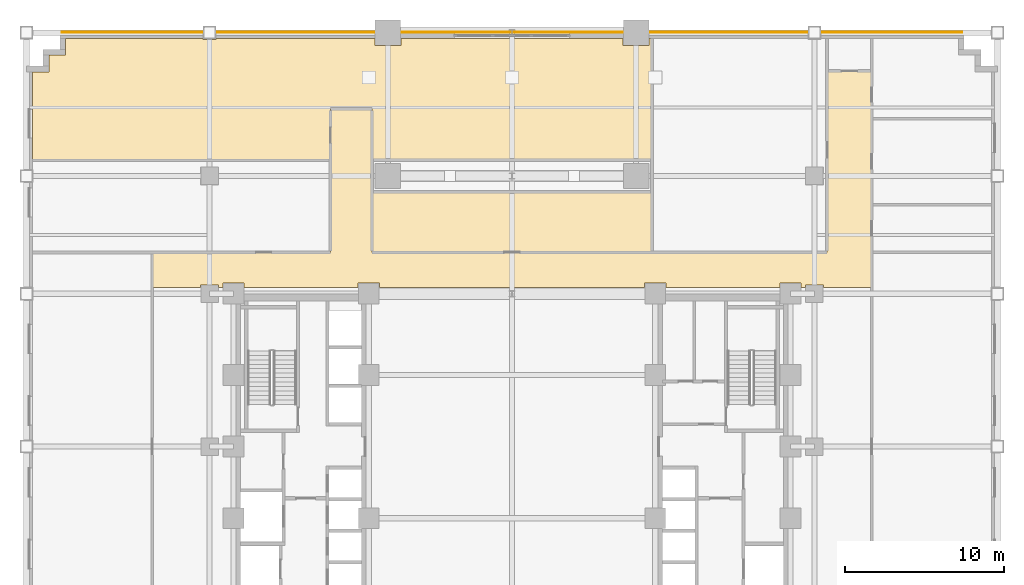
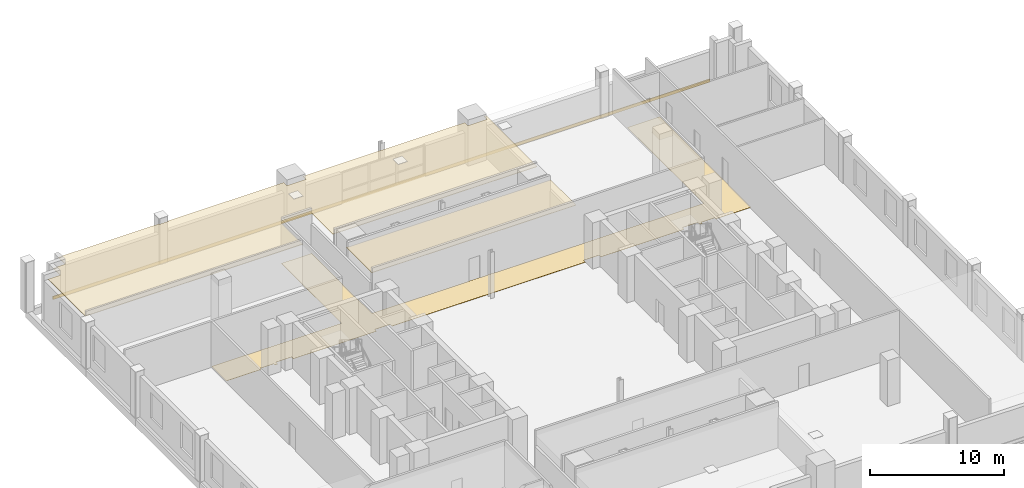
# One storey, part 16 of 17: 4 coverings.
"""IFC4 building model written with IfcOpenShell, lengths in metres."""

import ifcopenshell
import ifcopenshell.guid

model = None  # the IFC model being written
_history = None  # IfcOwnerHistory: only IFC2X3 demands one
_inside = {}  # id of a spatial element -> (the spatial element, [elements in it])
_under = {}  # id of a project, library or spatial element -> (it, [spatial elements below it])
_declared = {}  # id of a project -> (the project, [libraries it declares])
_typed = {}  # id of a type object -> (the type object, [elements of that type])
_made_of = {}  # id of a material, layer set ... -> (it, [elements and type objects made of it])


def new_model(schema):
    """Start an empty IFC model of exactly this schema.

    Asked for "IFC4X3", IfcOpenShell would pick the latest addendum, in which some entities
    have other attributes; the version numbers below select the first issue.
    IFC2X3 requires an IfcOwnerHistory on every rooted entity: one is made here for all.
    """
    global model, _history
    if schema == "IFC4X3":
        model = ifcopenshell.file(schema_version=(4, 3, 0, 0))
    else:
        model = ifcopenshell.file(schema=schema)
    _inside.clear()
    _under.clear()
    _declared.clear()
    _typed.clear()
    _made_of.clear()
    _history = None
    if model.schema == "IFC2X3":
        org = make("IfcOrganization", Name="unknown")
        user = make(
            "IfcPersonAndOrganization",
            ThePerson=make("IfcPerson", FamilyName="unknown"),
            TheOrganization=org,
        )
        app = make(
            "IfcApplication",
            ApplicationDeveloper=org,
            Version="unknown",
            ApplicationFullName="unknown",
            ApplicationIdentifier="unknown",
        )
        _history = make(
            "IfcOwnerHistory",
            OwningUser=user,
            OwningApplication=app,
            ChangeAction="ADDED",
            CreationDate=0,
        )
    return model


def make(cls, **values):
    """One entity of the class cls with the attributes given. An attribute that is None is left unset."""
    return model.create_entity(
        cls, **{name: value for name, value in values.items() if value is not None}
    )


def rooted(cls, **values):
    """An entity with a GlobalId (a new one), such as an element, a storey or a relation."""
    return make(cls, GlobalId=ifcopenshell.guid.new(), OwnerHistory=_history, **values)


def si_unit(unit_type, name, prefix=None):
    """IfcSIUnit, for example si_unit("LENGTHUNIT", "METRE", prefix="MILLI")."""
    return make("IfcSIUnit", UnitType=unit_type, Prefix=prefix, Name=name)


def assignment(units):
    """IfcUnitAssignment: the units of a project."""
    return None if units is None else make("IfcUnitAssignment", Units=units)


def point(xyz):
    """IfcCartesianPoint."""
    return None if xyz is None else make("IfcCartesianPoint", Coordinates=xyz)


def direction(xyz):
    """IfcDirection."""
    return None if xyz is None else make("IfcDirection", DirectionRatios=xyz)


def frame(location, z_axis=None, x_axis=None):
    """IfcAxis2Placement3D, a coordinate frame: its origin and axes. An axis left out is left unset."""
    return make(
        "IfcAxis2Placement3D",
        Location=point(location),
        Axis=direction(z_axis),
        RefDirection=direction(x_axis),
    )


def frame_2d(location, x_axis=None):
    """IfcAxis2Placement2D, a coordinate frame in the plane: its origin and x axis."""
    return make(
        "IfcAxis2Placement2D", Location=point(location), RefDirection=direction(x_axis)
    )


def origin():
    """The frame at (0, 0, 0) with its axes left unset."""
    return frame((0.0, 0.0, 0.0))


def origin_2d():
    """The frame at (0, 0) in the plane with its x axis left unset."""
    return frame_2d((0.0, 0.0))


def place(relative_to, where):
    """IfcLocalPlacement: puts the frame where relative to a parent placement (None: the world)."""
    return make(
        "IfcLocalPlacement", PlacementRelTo=relative_to, RelativePlacement=where
    )


def context(
    kind, dimensions, precision=None, world=None, true_north=None, identifier=None
):
    """IfcGeometricRepresentationContext, for example the 3D "Model" context."""
    return make(
        "IfcGeometricRepresentationContext",
        ContextIdentifier=identifier,
        ContextType=kind,
        CoordinateSpaceDimension=dimensions,
        Precision=precision,
        WorldCoordinateSystem=world,
        TrueNorth=true_north,
    )


def subcontext(parent, identifier, kind, view, scale=None):
    """IfcGeometricRepresentationSubContext, for example "Body" below "Model"."""
    return make(
        "IfcGeometricRepresentationSubContext",
        ContextIdentifier=identifier,
        ContextType=kind,
        ParentContext=parent,
        TargetScale=scale,
        TargetView=view,
    )


def project(units=None, contexts=None):
    """IfcProject with its units and contexts."""
    return rooted(
        "IfcProject",
        Name="project",
        RepresentationContexts=contexts,
        UnitsInContext=assignment(units),
    )


def spatial(cls, under=None, at=None, **own):
    """A site, building, storey or space (cls), placed at a placement, below another one or the project."""
    s = rooted(cls, ObjectPlacement=at, **own)
    if under is not None:
        _under.setdefault(under.id(), (under, []))[1].append(s)
    return s


def polyline(points):
    """IfcPolyline through the points."""
    return make("IfcPolyline", Points=[point(p) for p in points])


def profile(cls, at=None, kind="AREA", **sizes):
    """A parametric profile (cls). Its sizes go by their IFC names, for example OverallWidth=200.0."""
    return make(cls, ProfileType=kind, Position=at, **sizes)


def rectangle(**sizes):
    """IfcRectangleProfileDef."""
    return profile("IfcRectangleProfileDef", **sizes)


def outline(outer, holes=None, kind="AREA"):
    """IfcArbitraryClosedProfileDef: a profile drawn as a closed curve; with holes, ...WithVoids."""
    if holes is None:
        return make("IfcArbitraryClosedProfileDef", ProfileType=kind, OuterCurve=outer)
    return make(
        "IfcArbitraryProfileDefWithVoids",
        ProfileType=kind,
        OuterCurve=outer,
        InnerCurves=holes,
    )


def extrude(swept, where, along, depth):
    """IfcExtrudedAreaSolid: the profile swept, set in the frame where, extruded along a direction by depth."""
    return make(
        "IfcExtrudedAreaSolid",
        SweptArea=swept,
        Position=where,
        ExtrudedDirection=direction(along),
        Depth=depth,
    )


def shape(context_of_items, identifier, shape_type, items):
    """IfcShapeRepresentation: the items that make up one representation, for example the "Body"."""
    return make(
        "IfcShapeRepresentation",
        ContextOfItems=context_of_items,
        RepresentationIdentifier=identifier,
        RepresentationType=shape_type,
        Items=items,
    )


def source(mapping_origin, context_of_items, identifier, shape_type, items):
    """IfcRepresentationMap: a shape defined once, which mapped items show again and again."""
    return make(
        "IfcRepresentationMap",
        MappingOrigin=mapping_origin,
        MappedRepresentation=shape(context_of_items, identifier, shape_type, items),
    )


def transform(
    local_origin,
    x_axis=None,
    y_axis=None,
    z_axis=None,
    scale=None,
    scale2=None,
    scale3=None,
    uniform=True,
):
    """IfcCartesianTransformationOperator3D, or its non-uniform kind. x_axis, y_axis, z_axis: its Axis1, 2, 3."""
    if uniform:
        return make(
            "IfcCartesianTransformationOperator3D",
            Axis1=direction(x_axis),
            Axis2=direction(y_axis),
            LocalOrigin=point(local_origin),
            Scale=scale,
            Axis3=direction(z_axis),
        )
    return make(
        "IfcCartesianTransformationOperator3DnonUniform",
        Axis1=direction(x_axis),
        Axis2=direction(y_axis),
        LocalOrigin=point(local_origin),
        Scale=scale,
        Axis3=direction(z_axis),
        Scale2=scale2,
        Scale3=scale3,
    )


def mapped(mapping_source, mapping_target):
    """IfcMappedItem: shows the shape of a source again, moved by a transform."""
    return make(
        "IfcMappedItem", MappingSource=mapping_source, MappingTarget=mapping_target
    )


def material(Name=None, Category=None):
    """IfcMaterial."""
    return make("IfcMaterial", Name=Name, Category=Category)


def layer(
    of_material, thickness, ventilated=None, Name=None, Category=None, Priority=None
):
    """IfcMaterialLayer: one layer of a wall or slab, of a material (None: an air gap)."""
    return make(
        "IfcMaterialLayer",
        Material=of_material,
        LayerThickness=thickness,
        IsVentilated=ventilated,
        Name=Name,
        Category=Category,
        Priority=Priority,
    )


def layer_set(layers, Name=None):
    """IfcMaterialLayerSet."""
    return make("IfcMaterialLayerSet", MaterialLayers=layers, LayerSetName=Name)


def made_of(thing, what):
    """Note that an element or type object is made of a material, layer set ...; save() writes the relation."""
    if what is not None:
        _made_of.setdefault(what.id(), (what, []))[1].append(thing)
    return thing


def type_object(cls, material=None, **own):
    """A type object (cls), such as IfcWallType, which elements share."""
    return made_of(rooted(cls, **own), material)


def type_shapes(of_type, sources):
    """Give a type object the sources (RepresentationMaps) that its elements show as mapped items."""
    of_type.RepresentationMaps = sources


def element(
    cls,
    number,
    at=None,
    inside=None,
    cuts=None,
    type_object=None,
    material=None,
    context=None,
    identifier="Body",
    shape_type=None,
    held_by="IfcProductDefinitionShape",
    body=None,
    shapes=None,
    **own,
):
    """One element of the class cls, such as IfcWall. Its Tag is "e" and its number.

    at: its placement. inside: the storey or other place that contains it. cuts: it is an
    opening in that element (IfcRelVoidsElement). A single representation is given by context,
    identifier, shape_type and body (its items); several are given by shapes. held_by: the class
    of the entity that holds the representations. save() writes the other relations.
    """
    e = rooted(cls, Tag="e%d" % number, ObjectPlacement=at, **own)
    if body is not None:
        shapes = [shape(context, identifier, shape_type, body)]
    if shapes is not None:
        e.Representation = make(held_by, Representations=shapes)
    if inside is not None:
        _inside.setdefault(inside.id(), (inside, []))[1].append(e)
    if cuts is not None:
        rooted(
            "IfcRelVoidsElement", RelatingBuildingElement=cuts, RelatedOpeningElement=e
        )
    if type_object is not None:
        _typed.setdefault(type_object.id(), (type_object, []))[1].append(e)
    return made_of(e, material)


def aggregate(whole, parts):
    """IfcRelAggregates: a whole, such as a stair, and the parts it consists of."""
    return rooted("IfcRelAggregates", RelatingObject=whole, RelatedObjects=parts)


def save(model, path):
    """Write the relations noted so far, then the file.

    IfcRelAggregates (storeys below a building ...), IfcRelContainedInSpatialStructure (elements
    in a storey), IfcRelDefinesByType, IfcRelAssociatesMaterial and IfcRelDeclares: one each for
    every whole, place, type object, material and project.
    """
    for whole, parts in _under.values():
        aggregate(whole, parts)
    for where, things in _inside.values():
        rooted(
            "IfcRelContainedInSpatialStructure",
            RelatedElements=things,
            RelatingStructure=where,
        )
    for kind, things in _typed.values():
        rooted("IfcRelDefinesByType", RelatedObjects=things, RelatingType=kind)
    for what, things in _made_of.values():
        rooted("IfcRelAssociatesMaterial", RelatedObjects=things, RelatingMaterial=what)
    for by, libraries in _declared.values():
        rooted("IfcRelDeclares", RelatingContext=by, RelatedDefinitions=libraries)
    model.write(path)


model = new_model("IFC4")

# Units and contexts
model_context = context("Model", 3, precision=1e-05, world=origin(), true_north=direction((0.0, 1.0)))
body_context = subcontext(model_context, "Body", "Model", "MODEL_VIEW")
ifc_project = project(units=[si_unit("LENGTHUNIT", "METRE"), si_unit("AREAUNIT", "SQUARE_METRE"), si_unit("VOLUMEUNIT", "CUBIC_METRE"), si_unit("PLANEANGLEUNIT", "RADIAN"), si_unit("MASSUNIT", "GRAM", prefix="KILO")], contexts=[model_context])

# Site, building, storey
site_placement = place(None, origin())
site = spatial("IfcSite", under=ifc_project, at=site_placement, CompositionType="ELEMENT")
building_placement = place(site_placement, origin())
building = spatial("IfcBuilding", under=site, at=building_placement, Name="Nuvemarco Arch Tower", CompositionType="ELEMENT")
storey_placement = place(building_placement, frame((0.0, 0.0, 23.0)))
storey = spatial("IfcBuildingStorey", under=building, at=storey_placement, Name="L05", CompositionType="ELEMENT", Elevation=23.0)

# Coverings
ifc_material_1 = material(Name="Mineral acoustic ceiling tile")
ifc_layer_1 = layer(ifc_material_1, 0.0400390625, Name="COV-ACOUSTIC-CLG")
ifc_layer_set_1 = layer_set([ifc_layer_1], Name="Mineral acoustic ceiling tile")
covering_type_1 = type_object("IfcCoveringType", Name="COV-ACOUSTIC-CLG", PredefinedType="CEILING", material=ifc_layer_set_1)
covering_1_placement = place(storey_placement, frame((0.0, 0.0, 3.679931640625)))
element("IfcCovering", 1, at=covering_1_placement, inside=storey, type_object=covering_type_1, Name="L05 suspended acoustic ceiling 2", PredefinedType="CEILING", context=body_context, shape_type="SweptSolid", body=[
    extrude(outline(polyline([(-30.139892578125, 18.0), (-30.139892578125, 23.5400390625), (-29.090087890625, 23.5400390625), (-29.090087890625, 24.590087890625), (-28.0400390625, 24.590087890625), (-28.0400390625, 25.639892578125), (-19.4150390625, 25.639892578125), (-19.4150390625, 25.5849609375), (-18.5849609375, 25.5849609375), (-18.5849609375, 25.639892578125), (-8.614990234375, 25.639892578125), (-8.614990234375, 25.18505859375), (-6.985107421875, 25.18505859375), (-6.985107421875, 25.639892578125), (6.985107421875, 25.639892578125), (6.985107421875, 25.18505859375), (8.614990234375, 25.18505859375), (8.614990234375, 25.639892578125), (8.800048828125, 25.639892578125), (8.800048828125, 18.0), (-8.800048828125, 18.0), (-8.800048828125, 21.199951171875), (-11.39990234375, 21.199951171875), (-11.39990234375, 18.0), (-30.139892578125, 18.0)])), origin(), (0.0, 0.0, 1.0), 0.0400390625),
])
covering_2_placement = place(storey_placement, frame((0.0, 0.0, 3.679931640625)))
element("IfcCovering", 2, at=covering_2_placement, inside=storey, type_object=covering_type_1, Name="L05 suspended acoustic ceiling 8", PredefinedType="CEILING", context=body_context, shape_type="SweptSolid", body=[
    extrude(outline(polyline([(-8.800048828125, 16.0), (8.800048828125, 16.0), (8.800048828125, 12.199951171875), (-8.800048828125, 12.199951171875), (-8.800048828125, 16.0)])), origin(), (0.0, 0.0, 1.0), 0.0400390625),
])
ifc_material_2 = material(Name="Polished granite terrazzostone flooring", Category="masonry")
ifc_layer_2 = layer(ifc_material_2, 0.02001953125, Name="COV-LOBBY-FLR")
ifc_layer_set_2 = layer_set([ifc_layer_2], Name="Polished granite terrazzostone flooring")
covering_type_2 = type_object("IfcCoveringType", Name="COV-LOBBY-FLR", PredefinedType="FLOORING", material=ifc_layer_set_2)
covering_3_placement = place(storey_placement, origin())
element("IfcCovering", 3, at=covering_3_placement, inside=storey, type_object=covering_type_2, Name="L05 polished terrazzo lobby flooring", PredefinedType="FLOORING", context=body_context, shape_type="SweptSolid", body=[
    extrude(outline(polyline([(-22.60009765625, 12.199951171875), (-19.800048828125, 12.199951171875), (-11.39990234375, 12.199951171875), (-11.39990234375, 21.199951171875), (-8.800048828125, 21.199951171875), (-8.800048828125, 18.0), (-8.800048828125, 16.0), (-8.800048828125, 12.199951171875), (19.800048828125, 12.199951171875), (19.800048828125, 23.60009765625), (22.60009765625, 23.60009765625), (22.60009765625, 12.199951171875), (22.60009765625, 10.0), (19.56494140625, 10.0), (19.56494140625, 10.1650390625), (18.43505859375, 10.1650390625), (18.43505859375, 10.0), (18.1650390625, 10.0), (18.1650390625, 10.264892578125), (16.8349609375, 10.264892578125), (16.8349609375, 10.0), (9.6650390625, 10.0), (9.6650390625, 10.264892578125), (8.3349609375, 10.264892578125), (8.3349609375, 10.0), (-8.3349609375, 10.0), (-8.3349609375, 10.264892578125), (-9.6650390625, 10.264892578125), (-9.6650390625, 10.0), (-16.8349609375, 10.0), (-16.8349609375, 10.264892578125), (-18.1650390625, 10.264892578125), (-18.1650390625, 10.0), (-18.43505859375, 10.0), (-18.43505859375, 10.1650390625), (-19.56494140625, 10.1650390625), (-19.56494140625, 10.0), (-22.60009765625, 10.0), (-22.60009765625, 12.199951171875)])), origin(), (0.0, 0.0, 1.0), 0.02001953125),
])
ifc_material_3 = material(Name="Precast concrete C45/55", Category="concrete")
ifc_layer_3 = layer(ifc_material_3, 0.06005859375, Name="COV-SPANDREL-CLAD")
ifc_layer_set_3 = layer_set([ifc_layer_3], Name="Precast concrete C45/55")
covering_type_3 = type_object("IfcCoveringType", Name="COV-SPANDREL-CLAD", PredefinedType="CLADDING", material=ifc_layer_set_3)
shared_shape = source(origin(), body_context, "Body", "SweptSolid", [
    extrude(rectangle(XDim=56.60009765625, YDim=0.06005859375, at=origin_2d()), origin(), (0.0, 0.0, 1.0), 0.280029296875),
])
type_shapes(covering_type_3, [shared_shape])
covering_4_placement = place(storey_placement, frame((0.0, 26.029052734375, -0.27978515625), z_axis=(0.0, 0.0, 1.0), x_axis=(1.0, 0.0, 0.0)))
element("IfcCovering", 4, at=covering_4_placement, inside=storey, type_object=covering_type_3, Name="L05 precast spandrel edge cladding north", PredefinedType="CLADDING", context=body_context, shape_type="MappedRepresentation", body=[
    mapped(shared_shape, transform((0.0, 0.0, 0.0), scale=1.0)),
])

save(model, "model.ifc")
